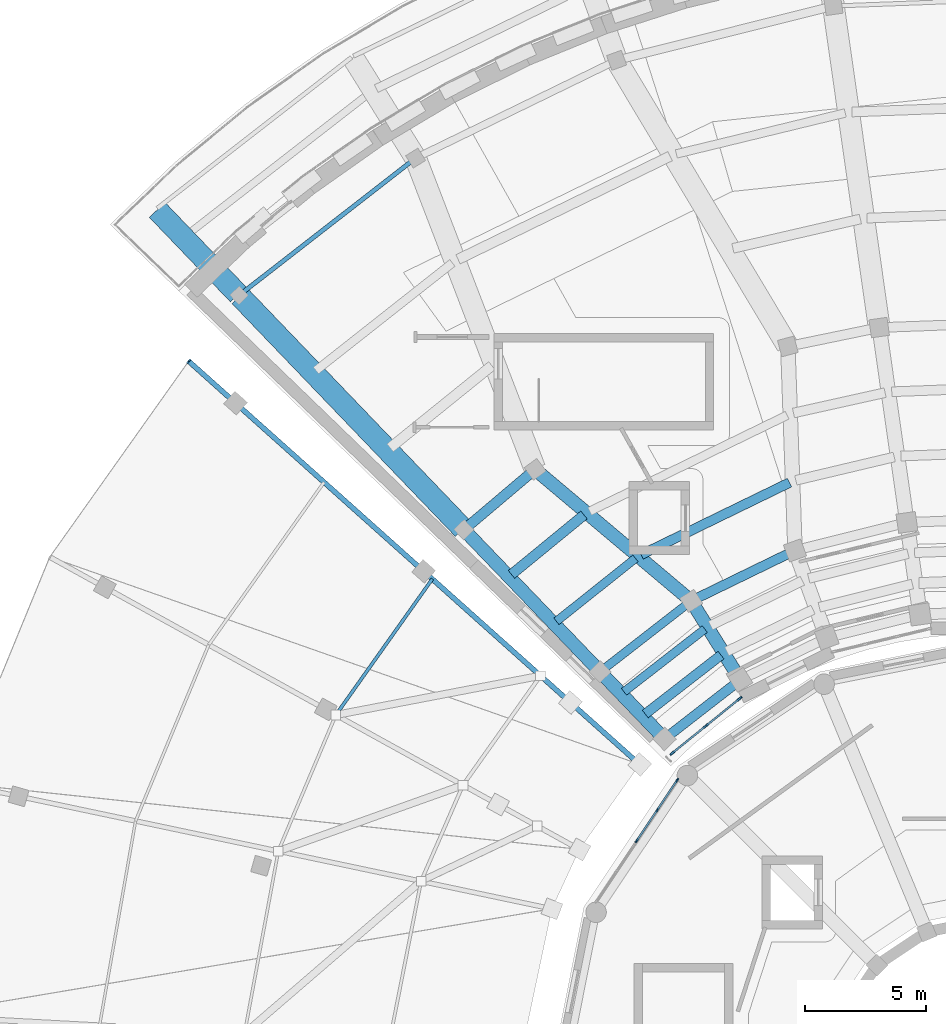
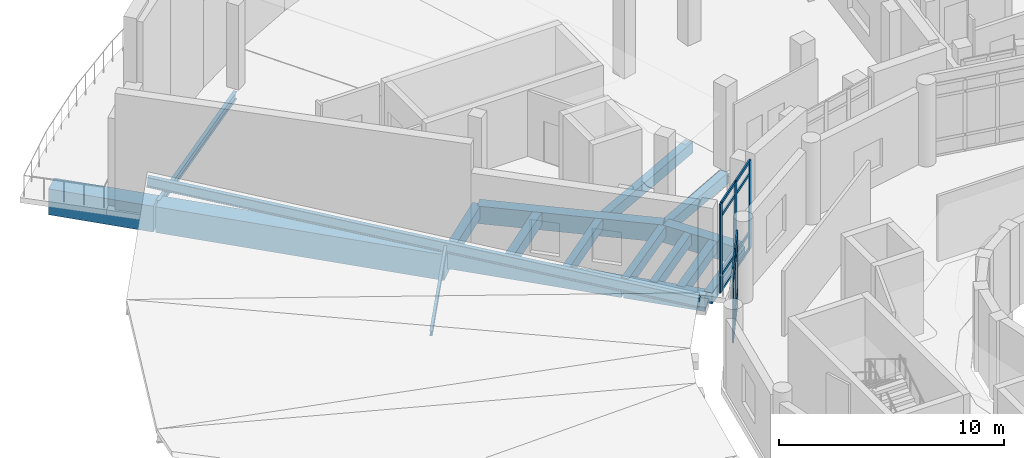
# One storey, part 13 of 49: 23 members, 17 beams, 2 elements without a shape of their own.
"""IFC4 building model written with IfcOpenShell, lengths in metres."""

from ifc_helpers import new_model, si_unit, direction, frame, origin, origin_2d, place, context, subcontext, project, spatial, rectangle, i_section, extrude, material, material_profile, profile_set, type_object, element, aggregate, save


model = new_model("IFC4")

# Units and contexts
model_context = context("Model", 3, precision=1e-05, world=origin(), true_north=direction((0.0, 1.0)))
body_context = subcontext(model_context, "Body", "Model", "MODEL_VIEW")
ifc_project = project(units=[si_unit("LENGTHUNIT", "METRE"), si_unit("AREAUNIT", "SQUARE_METRE"), si_unit("VOLUMEUNIT", "CUBIC_METRE"), si_unit("PLANEANGLEUNIT", "RADIAN"), si_unit("MASSUNIT", "GRAM", prefix="KILO")], contexts=[model_context])

# Site, building, storey
site_placement = place(None, origin())
site = spatial("IfcSite", under=ifc_project, at=site_placement, CompositionType="ELEMENT")
building_placement = place(site_placement, origin())
building = spatial("IfcBuilding", under=site, at=building_placement, Name="Soyqirgoq Riverine Aquarium", CompositionType="ELEMENT")
storey_placement = place(building_placement, frame((0.0, 0.0, 15.0)))
storey = spatial("IfcBuildingStorey", under=building, at=storey_placement, Name="L04", CompositionType="ELEMENT", Elevation=15.0)

# Beams
ifc_material_1 = material(Name="Concrete C40/50", Category="concrete")
ifc_material_profile_1 = material_profile(ifc_material_1, rectangle(XDim=0.35009765625, YDim=0.60009765625, at=origin_2d()), Name="RC 350x600")
ifc_profile_set_1 = profile_set([ifc_material_profile_1], Name="Concrete C40/50")
beam_type_1 = type_object("IfcBeamType", Name="Beam_RC_350x600", PredefinedType="JOIST", material=ifc_profile_set_1)
beam_1_placement = place(storey_placement, frame((44.38037109375, 75.404296875, -0.580078125), z_axis=(-0.789625269343, -0.613589385514, 0.0), x_axis=(0.613589385514, -0.789625269343, 0.0)))
element("IfcBeam", 1, at=beam_1_placement, inside=storey, type_object=beam_type_1, Name="V4 L04 Secondary Floor Joist 0707", PredefinedType="JOIST", context=body_context, shape_type="SweptSolid", body=[
    extrude(rectangle(XDim=0.35009765625, YDim=0.60009765625, at=origin_2d()), origin(), (0.0, 0.0, 1.0), 4.235595703125),
])
beam_2_placement = place(storey_placement, frame((43.780029296875, 76.5380859375, -0.580078125), z_axis=(-0.789613455766, -0.613604588048, 0.0), x_axis=(0.613604588048, -0.789613455766, 0.0)))
element("IfcBeam", 2, at=beam_2_placement, inside=storey, type_object=beam_type_1, Name="V4 L04 Wedge Chord Beam 0711", PredefinedType="JOIST", context=body_context, shape_type="SweptSolid", body=[
    extrude(rectangle(XDim=0.35009765625, YDim=0.60009765625, at=origin_2d()), origin(), (0.0, 0.0, 1.0), 4.6787109375),
])
beam_3_placement = place(storey_placement, frame((41.51171875, 78.33349609375, -0.580078125), z_axis=(-0.78199960061, -0.623278930051, 0.0), x_axis=(0.623278930051, -0.78199960061, 0.0)))
element("IfcBeam", 3, at=beam_3_placement, inside=storey, type_object=beam_type_1, Name="V4 L04 Secondary Floor Joist 0718", PredefinedType="JOIST", context=body_context, shape_type="SweptSolid", body=[
    extrude(rectangle(XDim=0.35009765625, YDim=0.60009765625, at=origin_2d()), origin(), (0.0, 0.0, 1.0), 4.18701171875),
])
ifc_material_2 = material(Name="Concrete C40/50", Category="concrete")
ifc_material_profile_2 = material_profile(ifc_material_2, rectangle(XDim=0.39990234375, YDim=0.60009765625, at=origin_2d()), Name="RC 400x600")
ifc_profile_set_2 = profile_set([ifc_material_profile_2], Name="Concrete C40/50")
beam_type_2 = type_object("IfcBeamType", Name="Beam_RC_400x600", PredefinedType="JOIST", material=ifc_profile_set_2)
beam_4_placement = place(storey_placement, frame((45.814453125, 73.26953125, -0.580078125), z_axis=(-0.789599462758, -0.613622594444, 0.0), x_axis=(0.613622594444, -0.789599462758, 0.0)))
element("IfcBeam", 4, at=beam_4_placement, inside=storey, type_object=beam_type_2, Name="V4 L04 Wedge Chord Beam 0699", PredefinedType="JOIST", context=body_context, shape_type="SweptSolid", body=[
    extrude(rectangle(XDim=0.39990234375, YDim=0.60009765625, at=origin_2d()), origin(), (0.0, 0.0, 1.0), 3.88037109375),
])
beam_5_placement = place(storey_placement, frame((45.0517578125, 74.32568359375, -0.580078125), z_axis=(-0.789623525917, -0.613591629114, 0.0), x_axis=(0.613591629114, -0.789623525917, 0.0)))
element("IfcBeam", 5, at=beam_5_placement, inside=storey, type_object=beam_type_2, Name="V4 L04 Secondary Floor Joist 0706", PredefinedType="JOIST", context=body_context, shape_type="SweptSolid", body=[
    extrude(rectangle(XDim=0.39990234375, YDim=0.60009765625, at=origin_2d()), origin(), (0.0, 0.0, 1.0), 3.97216796875),
])
beam_6_placement = place(storey_placement, frame((48.0712890625, 78.637939453125, -0.580078125), z_axis=(-0.899186813611, -0.437564937156, 0.0), x_axis=(0.437564937156, -0.899186813611, 0.0)))
element("IfcBeam", 6, at=beam_6_placement, inside=storey, type_object=beam_type_2, Name="V4 L04 Wedge Chord Beam 0710", PredefinedType="JOIST", context=body_context, shape_type="SweptSolid", body=[
    extrude(rectangle(XDim=0.39990234375, YDim=0.60009765625, at=origin_2d()), origin(), (0.0, 0.0, 1.0), 4.678466796875),
])
beam_7_placement = place(storey_placement, frame((47.8896484375, 81.47119140625, -0.580078125), z_axis=(-0.899178845538, -0.437581311, 0.0), x_axis=(0.437581311, -0.899178845538, 0.0)))
element("IfcBeam", 7, at=beam_7_placement, inside=storey, type_object=beam_type_2, Name="V4 L04 Secondary Floor Joist 0716", PredefinedType="JOIST", context=body_context, shape_type="SweptSolid", body=[
    extrude(rectangle(XDim=0.39990234375, YDim=0.60009765625, at=origin_2d()), origin(), (0.0, 0.0, 1.0), 6.831298828125),
])
ifc_material_3 = material(Name="Concrete C40/50", Category="concrete")
ifc_material_profile_3 = material_profile(ifc_material_3, rectangle(XDim=0.419921875, YDim=0.679931640625, at=origin_2d()), Name="RC 420x680")
ifc_profile_set_3 = profile_set([ifc_material_profile_3], Name="Concrete C40/50")
beam_type_3 = type_object("IfcBeamType", Name="Beam_RC_420x680", PredefinedType="BEAM", material=ifc_profile_set_3)
beam_8_placement = place(storey_placement, frame((39.37939453125, 80.12939453125, -0.6201171875), z_axis=(-0.773357757344, -0.633969856662, 0.0), x_axis=(0.633969856662, -0.773357757344, 0.0)))
element("IfcBeam", 8, at=beam_8_placement, inside=storey, type_object=beam_type_3, Name="V4 L04 Secondary Floor Joist 0719", PredefinedType="BEAM", context=body_context, shape_type="SweptSolid", body=[
    extrude(rectangle(XDim=0.419921875, YDim=0.679931640625, at=origin_2d()), origin(), (0.0, 0.0, 1.0), 3.884765625),
])
beam_9_placement = place(storey_placement, frame((37.31591796875, 81.983154296875, -0.6201171875), z_axis=(-0.763221409659, -0.646137044162, 0.0), x_axis=(0.646137044162, -0.763221409659, 0.0)))
element("IfcBeam", 9, at=beam_9_placement, inside=storey, type_object=beam_type_3, Name="V4 L04 Wedge Chord Beam 0722", PredefinedType="BEAM", context=body_context, shape_type="SweptSolid", body=[
    extrude(rectangle(XDim=0.419921875, YDim=0.679931640625, at=origin_2d()), origin(), (0.0, 0.0, 1.0), 3.763671875),
])

# Curtain wall, members
ifc_material_4 = material(Name="Anodised aluminium thermally broken triple low-E glazing", Category="aluminium")
curtain_wall_type_1 = type_object("IfcCurtainWallType", Name="CW_DrumGallery_Unitised", PredefinedType="NOTDEFINED", material=ifc_material_4)
curtain_wall_1_placement = place(storey_placement, origin())
curtain_wall_1 = element("IfcCurtainWall", 10, at=curtain_wall_1_placement, inside=storey, type_object=curtain_wall_type_1, Name="V1 L04 Curtain Wall 026", PredefinedType="NOTDEFINED")
ifc_material_5 = material(Name="Anodised aluminium 6063-T6", Category="aluminium")
ifc_material_profile_4 = material_profile(ifc_material_5, rectangle(XDim=0.06494140625, YDim=0.179931640625, at=origin_2d()), Name="ALU-M 65x180")
ifc_profile_set_4 = profile_set([ifc_material_profile_4], Name="Anodised aluminium 6063-T6")
member_type_1 = type_object("IfcMemberType", Name="CWMullion_65x180", PredefinedType="MULLION", material=ifc_profile_set_4)
member_1_placement = place(storey_placement, frame((43.23291015625, 69.1396484375, 0.0), z_axis=(0.0, 0.0, 1.0), x_axis=(0.831463994905, -0.555578639957, 0.0)))
member_1 = element("IfcMember", 11, at=member_1_placement, type_object=member_type_1, Name="CW-01 mullion 1", PredefinedType="MULLION", context=body_context, shape_type="SweptSolid", body=[
    extrude(rectangle(XDim=0.06494140625, YDim=0.179931640625, at=origin_2d()), origin(), (0.0, 0.0, 1.0), 3.949951171875),
])
member_2_placement = place(storey_placement, frame((42.408203125, 67.905517578125, 0.0), z_axis=(0.0, 0.0, 1.0), x_axis=(0.831463994905, -0.555578639957, 0.0)))
member_2 = element("IfcMember", 12, at=member_2_placement, type_object=member_type_1, Name="CW-01 mullion 2", PredefinedType="MULLION", context=body_context, shape_type="SweptSolid", body=[
    extrude(rectangle(XDim=0.06494140625, YDim=0.179931640625, at=origin_2d()), origin(), (0.0, 0.0, 1.0), 3.949951171875),
])
member_3_placement = place(storey_placement, frame((41.565673828125, 66.64453125, 0.0), z_axis=(0.0, 0.0, 1.0), x_axis=(0.831463994905, -0.555578639957, 0.0)))
member_3 = element("IfcMember", 13, at=member_3_placement, type_object=member_type_1, Name="CW-01 mullion 3", PredefinedType="MULLION", context=body_context, shape_type="SweptSolid", body=[
    extrude(rectangle(XDim=0.06494140625, YDim=0.179931640625, at=origin_2d()), origin(), (0.0, 0.0, 1.0), 3.949951171875),
])

ifc_material_6 = material(Name="Anodised aluminium thermally broken double low-E glazing", Category="aluminium")
curtain_wall_type_2 = type_object("IfcCurtainWallType", Name="CW_Wedge_NorthBay", PredefinedType="NOTDEFINED", material=ifc_material_6)
curtain_wall_2_placement = place(storey_placement, origin())
curtain_wall_2 = element("IfcCurtainWall", 14, at=curtain_wall_2_placement, inside=storey, type_object=curtain_wall_type_2, Name="V4 L04 Curtain Wall 093", PredefinedType="NOTDEFINED")
ifc_material_7 = material(Name="Anodised aluminium 6063-T6", Category="aluminium")
ifc_material_profile_5 = material_profile(ifc_material_7, rectangle(XDim=0.080078125, YDim=0.219970703125, at=origin_2d()), Name="ALU-M 80x220")
ifc_profile_set_5 = profile_set([ifc_material_profile_5], Name="Anodised aluminium 6063-T6")
member_type_2 = type_object("IfcMemberType", Name="CWMullion_80x220", PredefinedType="MULLION", material=ifc_profile_set_5)
member_4_placement = place(storey_placement, frame((45.82373046875, 72.52392578125, 0.0), z_axis=(0.0, 0.0, 1.0), x_axis=(0.628894471588, -0.777490671073, 0.0)))
member_4 = element("IfcMember", 15, at=member_4_placement, type_object=member_type_2, Name="CW-03 mullion 1", PredefinedType="MULLION", context=body_context, shape_type="SweptSolid", body=[
    extrude(rectangle(XDim=0.080078125, YDim=0.219970703125, at=origin_2d()), origin(), (0.0, 0.0, 1.0), 4.81005859375),
])
member_5_placement = place(storey_placement, frame((44.4296875, 71.396484375, 0.0), z_axis=(0.0, 0.0, 1.0), x_axis=(0.628894471588, -0.777490671073, 0.0)))
member_5 = element("IfcMember", 16, at=member_5_placement, type_object=member_type_2, Name="CW-03 mullion 2", PredefinedType="MULLION", context=body_context, shape_type="SweptSolid", body=[
    extrude(rectangle(XDim=0.080078125, YDim=0.219970703125, at=origin_2d()), origin(), (0.0, 0.0, 1.0), 4.81005859375),
])
member_6_placement = place(storey_placement, frame((43.035888671875, 70.26904296875, 0.0), z_axis=(0.0, 0.0, 1.0), x_axis=(0.628894471588, -0.777490671073, 0.0)))
member_6 = element("IfcMember", 17, at=member_6_placement, type_object=member_type_2, Name="CW-03 mullion 3", PredefinedType="MULLION", context=body_context, shape_type="SweptSolid", body=[
    extrude(rectangle(XDim=0.080078125, YDim=0.219970703125, at=origin_2d()), origin(), (0.0, 0.0, 1.0), 4.81005859375),
])

# Member
ifc_material_8 = material(Name="Anodised aluminium 6063-T6", Category="aluminium")
ifc_material_profile_6 = material_profile(ifc_material_8, rectangle(XDim=0.074951171875, YDim=0.14990234375, at=origin_2d()), Name="ALU-T 75x150")
ifc_profile_set_6 = profile_set([ifc_material_profile_6], Name="Anodised aluminium 6063-T6")
member_type_3 = type_object("IfcMemberType", Name="CWTransom_75x150", PredefinedType="USERDEFINED", material=ifc_profile_set_6)
member_7_placement = place(storey_placement, frame((43.21484375, 69.112548828125, 0.03759765625), z_axis=(-0.555652606731, -0.831414566046, 0.0), x_axis=(0.831414566046, -0.555652606731, 0.0)))
member_7 = element("IfcMember", 18, at=member_7_placement, type_object=member_type_3, Name="CW-01 transom 1.1", ObjectType="TRANSOM", PredefinedType="USERDEFINED", context=body_context, shape_type="SweptSolid", body=[
    extrude(rectangle(XDim=0.074951171875, YDim=0.14990234375, at=origin_2d()), origin(), (0.0, 0.0, 1.0), 1.419189453125),
])

member_8_placement = place(storey_placement, frame((43.21484375, 69.112548828125, 0.89990234375), z_axis=(-0.555652606731, -0.831414566046, 0.0), x_axis=(0.831414566046, -0.555652606731, 0.0)))
member_8 = element("IfcMember", 19, at=member_8_placement, type_object=member_type_3, Name="CW-01 transom 1.2", ObjectType="TRANSOM", PredefinedType="USERDEFINED", context=body_context, shape_type="SweptSolid", body=[
    extrude(rectangle(XDim=0.074951171875, YDim=0.14990234375, at=origin_2d()), origin(), (0.0, 0.0, 1.0), 1.419189453125),
])

member_9_placement = place(storey_placement, frame((43.21484375, 69.112548828125, 3.25), z_axis=(-0.555652606731, -0.831414566046, 0.0), x_axis=(0.831414566046, -0.555652606731, 0.0)))
member_9 = element("IfcMember", 20, at=member_9_placement, type_object=member_type_3, Name="CW-01 transom 1.3", ObjectType="TRANSOM", PredefinedType="USERDEFINED", context=body_context, shape_type="SweptSolid", body=[
    extrude(rectangle(XDim=0.074951171875, YDim=0.14990234375, at=origin_2d()), origin(), (0.0, 0.0, 1.0), 1.419189453125),
])

member_10_placement = place(storey_placement, frame((43.21484375, 69.112548828125, 3.91259765625), z_axis=(-0.555652606731, -0.831414566046, 0.0), x_axis=(0.831414566046, -0.555652606731, 0.0)))
member_10 = element("IfcMember", 21, at=member_10_placement, type_object=member_type_3, Name="CW-01 transom 1.4", ObjectType="TRANSOM", PredefinedType="USERDEFINED", context=body_context, shape_type="SweptSolid", body=[
    extrude(rectangle(XDim=0.074951171875, YDim=0.14990234375, at=origin_2d()), origin(), (0.0, 0.0, 1.0), 1.419189453125),
])

member_11_placement = place(storey_placement, frame((42.390380859375, 67.878662109375, 0.03759765625), z_axis=(-0.555631247688, -0.831428840366, 0.0), x_axis=(0.831428840366, -0.555631247688, 0.0)))
member_11 = element("IfcMember", 22, at=member_11_placement, type_object=member_type_3, Name="CW-01 transom 2.1", ObjectType="TRANSOM", PredefinedType="USERDEFINED", context=body_context, shape_type="SweptSolid", body=[
    extrude(rectangle(XDim=0.074951171875, YDim=0.14990234375, at=origin_2d()), origin(), (0.0, 0.0, 1.0), 1.45166015625),
])

member_12_placement = place(storey_placement, frame((42.390380859375, 67.878662109375, 0.89990234375), z_axis=(-0.555631247688, -0.831428840366, 0.0), x_axis=(0.831428840366, -0.555631247688, 0.0)))
member_12 = element("IfcMember", 23, at=member_12_placement, type_object=member_type_3, Name="CW-01 transom 2.2", ObjectType="TRANSOM", PredefinedType="USERDEFINED", context=body_context, shape_type="SweptSolid", body=[
    extrude(rectangle(XDim=0.074951171875, YDim=0.14990234375, at=origin_2d()), origin(), (0.0, 0.0, 1.0), 1.45166015625),
])

member_13_placement = place(storey_placement, frame((42.390380859375, 67.878662109375, 3.25), z_axis=(-0.555631247688, -0.831428840366, 0.0), x_axis=(0.831428840366, -0.555631247688, 0.0)))
member_13 = element("IfcMember", 24, at=member_13_placement, type_object=member_type_3, Name="CW-01 transom 2.3", ObjectType="TRANSOM", PredefinedType="USERDEFINED", context=body_context, shape_type="SweptSolid", body=[
    extrude(rectangle(XDim=0.074951171875, YDim=0.14990234375, at=origin_2d()), origin(), (0.0, 0.0, 1.0), 1.45166015625),
])

member_14_placement = place(storey_placement, frame((42.390380859375, 67.878662109375, 3.91259765625), z_axis=(-0.555631247688, -0.831428840366, 0.0), x_axis=(0.831428840366, -0.555631247688, 0.0)))
member_14 = element("IfcMember", 25, at=member_14_placement, type_object=member_type_3, Name="CW-01 transom 2.4", ObjectType="TRANSOM", PredefinedType="USERDEFINED", context=body_context, shape_type="SweptSolid", body=[
    extrude(rectangle(XDim=0.074951171875, YDim=0.14990234375, at=origin_2d()), origin(), (0.0, 0.0, 1.0), 1.45166015625),
])

aggregate(curtain_wall_1, [member_1, member_2, member_3, member_7, member_8, member_9, member_10, member_11, member_12, member_13, member_14])

member_15_placement = place(storey_placement, frame((45.79248046875, 72.498779296875, 0.03759765625), z_axis=(-0.777463919918, -0.628927542112, 0.0), x_axis=(0.628927542112, -0.777463919918, 0.0)))
member_15 = element("IfcMember", 26, at=member_15_placement, type_object=member_type_3, Name="CW-03 transom 1.1", ObjectType="TRANSOM", PredefinedType="USERDEFINED", context=body_context, shape_type="SweptSolid", body=[
    extrude(rectangle(XDim=0.074951171875, YDim=0.14990234375, at=origin_2d()), origin(), (0.0, 0.0, 1.0), 1.712646484375),
])

member_16_placement = place(storey_placement, frame((45.79248046875, 72.498779296875, 0.89990234375), z_axis=(-0.777463919918, -0.628927542112, 0.0), x_axis=(0.628927542112, -0.777463919918, 0.0)))
member_16 = element("IfcMember", 27, at=member_16_placement, type_object=member_type_3, Name="CW-03 transom 1.2", ObjectType="TRANSOM", PredefinedType="USERDEFINED", context=body_context, shape_type="SweptSolid", body=[
    extrude(rectangle(XDim=0.074951171875, YDim=0.14990234375, at=origin_2d()), origin(), (0.0, 0.0, 1.0), 1.712646484375),
])

member_17_placement = place(storey_placement, frame((45.79248046875, 72.498779296875, 4.110107421875), z_axis=(-0.777463919918, -0.628927542112, 0.0), x_axis=(0.628927542112, -0.777463919918, 0.0)))
member_17 = element("IfcMember", 28, at=member_17_placement, type_object=member_type_3, Name="CW-03 transom 1.3", ObjectType="TRANSOM", PredefinedType="USERDEFINED", context=body_context, shape_type="SweptSolid", body=[
    extrude(rectangle(XDim=0.074951171875, YDim=0.14990234375, at=origin_2d()), origin(), (0.0, 0.0, 1.0), 1.712646484375),
])

member_18_placement = place(storey_placement, frame((45.79248046875, 72.498779296875, 4.7724609375), z_axis=(-0.777463919918, -0.628927542112, 0.0), x_axis=(0.628927542112, -0.777463919918, 0.0)))
member_18 = element("IfcMember", 29, at=member_18_placement, type_object=member_type_3, Name="CW-03 transom 1.4", ObjectType="TRANSOM", PredefinedType="USERDEFINED", context=body_context, shape_type="SweptSolid", body=[
    extrude(rectangle(XDim=0.074951171875, YDim=0.14990234375, at=origin_2d()), origin(), (0.0, 0.0, 1.0), 1.712646484375),
])

member_19_placement = place(storey_placement, frame((44.398681640625, 71.371337890625, 0.03759765625), z_axis=(-0.777520295903, -0.628857845192, 0.0), x_axis=(0.628857845192, -0.777520295903, 0.0)))
member_19 = element("IfcMember", 30, at=member_19_placement, type_object=member_type_3, Name="CW-03 transom 2.1", ObjectType="TRANSOM", PredefinedType="USERDEFINED", context=body_context, shape_type="SweptSolid", body=[
    extrude(rectangle(XDim=0.074951171875, YDim=0.14990234375, at=origin_2d()), origin(), (0.0, 0.0, 1.0), 1.712890625),
])

member_20_placement = place(storey_placement, frame((44.398681640625, 71.371337890625, 0.89990234375), z_axis=(-0.777520295903, -0.628857845192, 0.0), x_axis=(0.628857845192, -0.777520295903, 0.0)))
member_20 = element("IfcMember", 31, at=member_20_placement, type_object=member_type_3, Name="CW-03 transom 2.2", ObjectType="TRANSOM", PredefinedType="USERDEFINED", context=body_context, shape_type="SweptSolid", body=[
    extrude(rectangle(XDim=0.074951171875, YDim=0.14990234375, at=origin_2d()), origin(), (0.0, 0.0, 1.0), 1.712890625),
])

member_21_placement = place(storey_placement, frame((44.398681640625, 71.371337890625, 4.110107421875), z_axis=(-0.777520295903, -0.628857845192, 0.0), x_axis=(0.628857845192, -0.777520295903, 0.0)))
member_21 = element("IfcMember", 32, at=member_21_placement, type_object=member_type_3, Name="CW-03 transom 2.3", ObjectType="TRANSOM", PredefinedType="USERDEFINED", context=body_context, shape_type="SweptSolid", body=[
    extrude(rectangle(XDim=0.074951171875, YDim=0.14990234375, at=origin_2d()), origin(), (0.0, 0.0, 1.0), 1.712890625),
])

member_22_placement = place(storey_placement, frame((44.398681640625, 71.371337890625, 4.7724609375), z_axis=(-0.777520295903, -0.628857845192, 0.0), x_axis=(0.628857845192, -0.777520295903, 0.0)))
member_22 = element("IfcMember", 33, at=member_22_placement, type_object=member_type_3, Name="CW-03 transom 2.4", ObjectType="TRANSOM", PredefinedType="USERDEFINED", context=body_context, shape_type="SweptSolid", body=[
    extrude(rectangle(XDim=0.074951171875, YDim=0.14990234375, at=origin_2d()), origin(), (0.0, 0.0, 1.0), 1.712890625),
])

aggregate(curtain_wall_2, [member_4, member_5, member_6, member_15, member_16, member_17, member_18, member_19, member_20, member_21, member_22])

# Beams
ifc_material_9 = material(Name="Concrete C40/50", Category="concrete")
ifc_material_profile_7 = material_profile(ifc_material_9, rectangle(XDim=0.550048828125, YDim=0.85009765625, at=origin_2d()), Name="RC 550x850")
ifc_profile_set_7 = profile_set([ifc_material_profile_7], Name="Concrete C40/50")
beam_type_4 = type_object("IfcBeamType", Name="Girder_RC_550x850", PredefinedType="BEAM", material=ifc_profile_set_7)
beam_10_placement = place(storey_placement, frame((42.67626953125, 70.893798828125, -0.705078125), z_axis=(-0.692107537642, 0.721794400324, 0.0), x_axis=(-0.721794400324, -0.692107537642, 0.0)))
element("IfcBeam", 34, at=beam_10_placement, inside=storey, type_object=beam_type_4, Name="V4 L04 Wedge Radial Girder 0692", PredefinedType="BEAM", context=body_context, shape_type="SweptSolid", body=[
    extrude(rectangle(XDim=0.550048828125, YDim=0.85009765625, at=origin_2d()), origin(), (0.0, 0.0, 1.0), 3.75),
])
beam_11_placement = place(storey_placement, frame((40.011474609375, 73.672607421875, -0.705078125), z_axis=(-0.692136531124, 0.721766598204, 0.0), x_axis=(-0.721766598204, -0.692136531124, 0.0)))
element("IfcBeam", 35, at=beam_11_placement, inside=storey, type_object=beam_type_4, Name="V4 L04 Wedge Radial Girder 0693", PredefinedType="BEAM", context=body_context, shape_type="SweptSolid", body=[
    extrude(rectangle(XDim=0.550048828125, YDim=0.85009765625, at=origin_2d()), origin(), (0.0, 0.0, 1.0), 8.050048828125),
])
ifc_material_10 = material(Name="Concrete C40/50", Category="concrete")
ifc_material_profile_8 = material_profile(ifc_material_10, rectangle(XDim=0.550048828125, YDim=0.949951171875, at=origin_2d()), Name="RC 550x950")
ifc_profile_set_8 = profile_set([ifc_material_profile_8], Name="Concrete C40/50")
beam_type_5 = type_object("IfcBeamType", Name="Girder_RC_550x950", PredefinedType="BEAM", material=ifc_profile_set_8)
beam_12_placement = place(storey_placement, frame((45.82763671875, 73.3427734375, -0.7548828125), z_axis=(-0.528453109017, 0.848962491262, 0.0), x_axis=(-0.848962491262, -0.528453109017, 0.0)))
element("IfcBeam", 36, at=beam_12_placement, inside=storey, type_object=beam_type_5, Name="V4 L04 Wedge Radial Girder 0688", PredefinedType="BEAM", context=body_context, shape_type="SweptSolid", body=[
    extrude(rectangle(XDim=0.550048828125, YDim=0.949951171875, at=origin_2d()), origin(), (0.0, 0.0, 1.0), 3.75),
])
beam_13_placement = place(storey_placement, frame((43.78125, 76.60107421875, -0.7548828125), z_axis=(-0.764796747937, 0.644271630871, 0.0), x_axis=(-0.644271630871, -0.764796747937, 0.0)))
element("IfcBeam", 37, at=beam_13_placement, inside=storey, type_object=beam_type_5, Name="V4 L04 Wedge Radial Girder 0689", PredefinedType="BEAM", context=body_context, shape_type="SweptSolid", body=[
    extrude(rectangle(XDim=0.550048828125, YDim=0.949951171875, at=origin_2d()), origin(), (0.0, 0.0, 1.0), 8.353759765625),
])
ifc_material_11 = material(Name="Structural steel S355", Category="steel")
ifc_material_profile_9 = material_profile(ifc_material_11, i_section(OverallWidth=0.2099609375, OverallDepth=0.550048828125, WebThickness=0.010986328125, FlangeThickness=0.01708984375, FilletRadius=0.02392578125, at=origin_2d()), Name="IPE 550")
ifc_profile_set_9 = profile_set([ifc_material_profile_9], Name="Structural steel S355")
beam_type_6 = type_object("IfcBeamType", Name="Outrigger_IPE550", PredefinedType="BEAM", material=ifc_profile_set_9)
beam_14_placement = place(storey_placement, frame((41.68701171875, 69.79736328125, 0.2080078125), z_axis=(-0.740275727827, 0.661883344569, 0.117907951263), x_axis=(-0.666532724314, -0.745475772522, 0.0)))
element("IfcBeam", 38, at=beam_14_placement, inside=storey, type_object=beam_type_6, Name="V3 Prairie Cantilever Eave Rafter 01", PredefinedType="BEAM", context=body_context, shape_type="SweptSolid", body=[
    extrude(i_section(OverallWidth=0.2099609375, OverallDepth=0.550048828125, WebThickness=0.010986328125, FlangeThickness=0.01708984375, FilletRadius=0.02392578125, at=origin_2d()), origin(), (0.0, 0.0, 1.0), 25.22607421875),
])

# Member
ifc_material_12 = material(Name="Structural steel S355", Category="steel")
ifc_material_profile_10 = material_profile(ifc_material_12, i_section(OverallWidth=0.135009765625, OverallDepth=0.27001953125, WebThickness=0.006591796875, FlangeThickness=0.01025390625, FilletRadius=0.014892578125, at=origin_2d()), Name="IPE 270")
ifc_profile_set_10 = profile_set([ifc_material_profile_10], Name="Structural steel S355")
member_type_4 = type_object("IfcMemberType", Name="Purlin_IPE270", PredefinedType="PURLIN", material=ifc_profile_set_10)
member_23_placement = place(storey_placement, frame((33.0966796875, 77.477783203125, 1.4921875), z_axis=(-0.578368516011, -0.815330601492, 0.026941973909), x_axis=(0.81562667468, -0.578578540521, 0.0)))
element("IfcMember", 39, at=member_23_placement, inside=storey, type_object=member_type_4, Name="V3 Prairie Roof Purlin 0158", PredefinedType="PURLIN", context=body_context, shape_type="SweptSolid", body=[
    extrude(i_section(OverallWidth=0.135009765625, OverallDepth=0.27001953125, WebThickness=0.006591796875, FlangeThickness=0.01025390625, FilletRadius=0.014892578125, at=origin_2d()), origin(), (0.0, 0.0, 1.0), 6.905029296875),
])

# Beams
ifc_material_13 = material(Name="Structural steel S355", Category="steel")
ifc_material_profile_11 = material_profile(ifc_material_13, i_section(OverallWidth=0.179931640625, OverallDepth=0.39990234375, WebThickness=0.008544921875, FlangeThickness=0.013427734375, FilletRadius=0.02099609375, at=origin_2d()), Name="IPE 400")
ifc_profile_set_11 = profile_set([ifc_material_profile_11], Name="Structural steel S355")
beam_type_7 = type_object("IfcBeamType", Name="Spandrel_Steel_IPE400", PredefinedType="SPANDREL", material=ifc_profile_set_11)
beam_15_placement = place(storey_placement, frame((32.36572265625, 94.8759765625, -0.47998046875), z_axis=(-0.789619172012, -0.61359723206, 0.0), x_axis=(0.61359723206, -0.789619172012, 0.0)))
element("IfcBeam", 40, at=beam_15_placement, inside=storey, type_object=beam_type_7, Name="V4 L04 Wedge Chord Beam 0733", PredefinedType="SPANDREL", context=body_context, shape_type="SweptSolid", body=[
    extrude(i_section(OverallWidth=0.179931640625, OverallDepth=0.39990234375, WebThickness=0.008544921875, FlangeThickness=0.013427734375, FilletRadius=0.02099609375, at=origin_2d()), origin(), (0.0, 0.0, 1.0), 9.156982421875),
])
ifc_material_14 = material(Name="Waterproof concrete C45/55", Category="concrete")
ifc_material_profile_12 = material_profile(ifc_material_14, rectangle(XDim=0.89990234375, YDim=1.39990234375, at=origin_2d()), Name="RC 900x1400")
ifc_profile_set_12 = profile_set([ifc_material_profile_12], Name="Waterproof concrete C45/55")
beam_type_8 = type_object("IfcBeamType", Name="TransferGirder_900x1400", PredefinedType="BEAM", material=ifc_profile_set_12)
beam_16_placement = place(storey_placement, frame((34.37060546875, 79.554931640625, -0.97998046875), z_axis=(-0.69214801098, 0.721755589446, 0.0), x_axis=(-0.721755589446, -0.69214801098, 0.0)))
element("IfcBeam", 41, at=beam_16_placement, inside=storey, type_object=beam_type_8, Name="V4 L04 Wedge Radial Girder 0694", PredefinedType="BEAM", context=body_context, shape_type="SweptSolid", body=[
    extrude(rectangle(XDim=0.89990234375, YDim=1.39990234375, at=origin_2d()), origin(), (0.0, 0.0, 1.0), 13.35009765625),
])
beam_17_placement = place(storey_placement, frame((25.061279296875, 89.2626953125, -0.97998046875), z_axis=(-0.69215241344, 0.721751367556, 0.0), x_axis=(-0.721751367556, -0.69215241344, 0.0)))
element("IfcBeam", 42, at=beam_17_placement, inside=storey, type_object=beam_type_8, Name="V4 L04 Wedge Radial Girder 0695", PredefinedType="BEAM", context=body_context, shape_type="SweptSolid", body=[
    extrude(rectangle(XDim=0.89990234375, YDim=1.39990234375, at=origin_2d()), origin(), (0.0, 0.0, 1.0), 4.85009765625),
])

save(model, "model.ifc")
